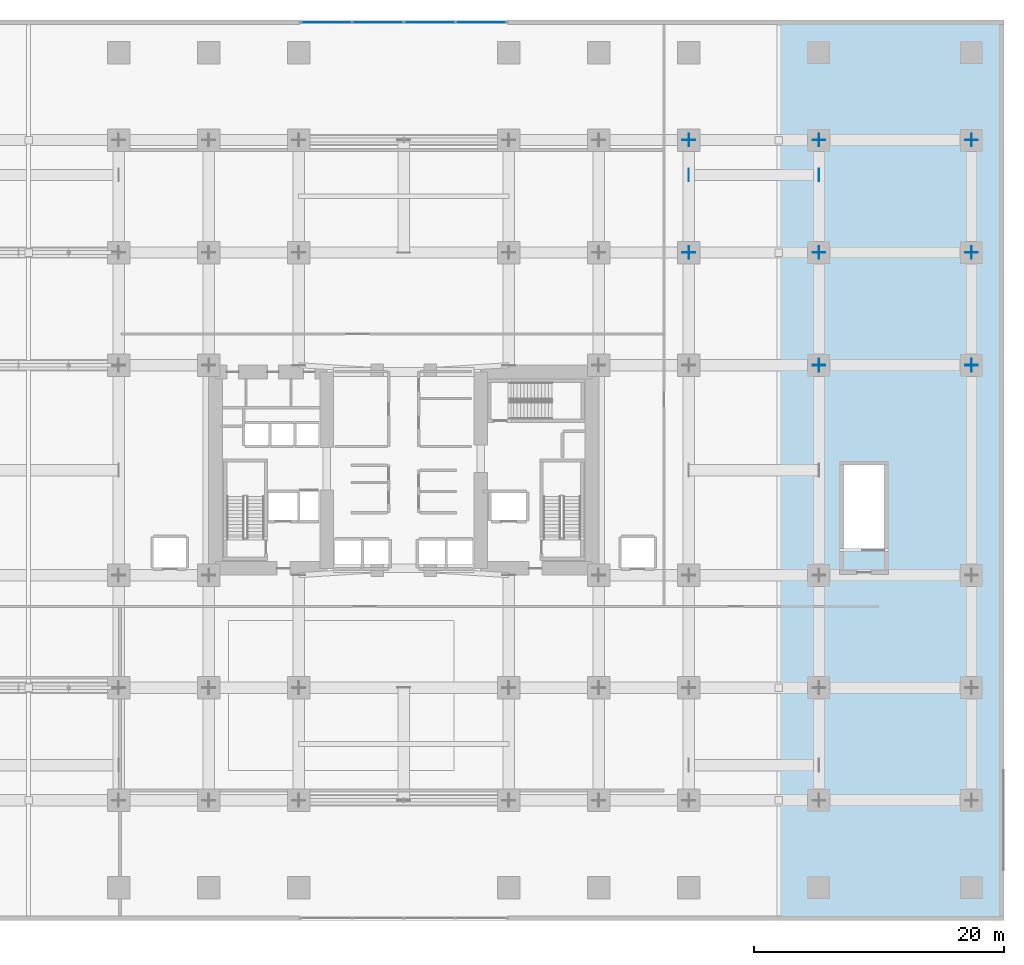
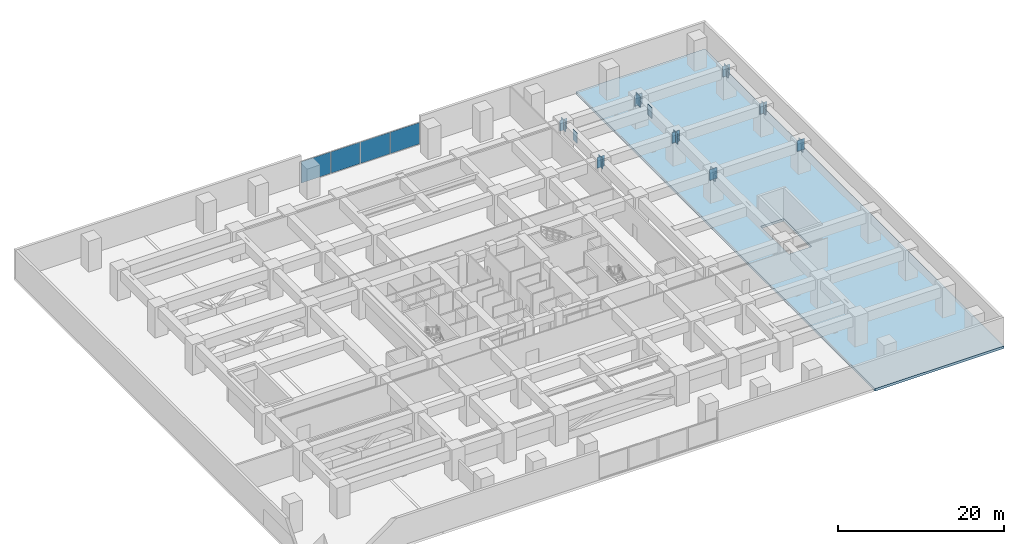
# One storey, part 12 of 25: 32 plates, 1 slab, 1 element without a shape of its own.
"""IFC4 building model written with IfcOpenShell, lengths in metres."""

from ifc_helpers import new_model, si_unit, direction, frame, origin, origin_2d, place, context, subcontext, project, spatial, polyline, rectangle, outline, extrude, material, layer, layer_set, type_object, element, aggregate, save


model = new_model("IFC4")

# Units and contexts
model_context = context("Model", 3, precision=1e-05, world=origin(), true_north=direction((0.0, 1.0)))
body_context = subcontext(model_context, "Body", "Model", "MODEL_VIEW")
ifc_project = project(units=[si_unit("LENGTHUNIT", "METRE"), si_unit("AREAUNIT", "SQUARE_METRE"), si_unit("VOLUMEUNIT", "CUBIC_METRE"), si_unit("PLANEANGLEUNIT", "RADIAN"), si_unit("MASSUNIT", "GRAM", prefix="KILO")], contexts=[model_context])

# Site, building, storey
site_placement = place(None, origin())
site = spatial("IfcSite", under=ifc_project, at=site_placement, CompositionType="ELEMENT")
building_placement = place(site_placement, origin())
building = spatial("IfcBuilding", under=site, at=building_placement, Name="Kiyonajd Concourse Tower", CompositionType="ELEMENT")
storey_placement = place(building_placement, frame((0.0, 0.0, 17.10009765625)))
storey = spatial("IfcBuildingStorey", under=building, at=storey_placement, Name="L05", CompositionType="ELEMENT", Elevation=17.10009765625)

# Plates
ifc_material_1 = material(Name="Steel ASTM A572 Grade 50", Category="steel")
ifc_layer_1 = layer(ifc_material_1, 0.031982421875)
ifc_layer_set_1 = layer_set([ifc_layer_1], Name="Steel ASTM A572 Grade 50")
plate_type_1 = type_object("IfcPlateType", Name="PL-CAP-540", PredefinedType="USERDEFINED", material=ifc_layer_set_1)
for number, where, z_axis, x_axis, name in (
    (1, (70.7890625, 59.60009765625, 2.7197265625), (0.0, 0.0, 1.0), (-1.0, 0.0, 0.0), "L05 Transfer Box Cap Plate"),
    (2, (81.2109375, 59.60009765625, 2.7197265625), (0.0, 0.0, 1.0), (1.0, 0.0, 0.0), "L05 Transfer Box Cap Plate"),
    (3, (81.2109375, 44.39990234375, 2.7197265625), (0.0, 0.0, 1.0), (1.0, 0.0, 0.0), "L05 Welded Box Girder End Cap"),
    (4, (81.18896484375, 44.39990234375, 2.73974609375), (0.0, 0.0, 1.0), (-1.0, 0.0, 0.0), "L05 Welded Box Girder End Cap"),
    (5, (93.410888671875, 44.39990234375, 2.73974609375), (0.0, 0.0, 1.0), (1.0, 0.0, 0.0), "L05 Welded Box Girder End Cap"),
    (6, (70.81103515625, 53.39990234375, 2.7197265625), (0.0, 0.0, 1.0), (1.0, 0.0, 0.0), "L05 Welded Box Girder End Cap"),
    (7, (70.7890625, 53.39990234375, 2.7197265625), (0.0, 0.0, 1.0), (-1.0, 0.0, 0.0), "L05 Welded Box Girder End Cap"),
    (8, (81.2109375, 53.39990234375, 2.7197265625), (0.0, 0.0, 1.0), (1.0, 0.0, 0.0), "L05 Welded Box Girder End Cap"),
    (9, (81.18896484375, 53.39990234375, 2.73974609375), (0.0, 0.0, 1.0), (-1.0, 0.0, 0.0), "L05 Welded Box Girder End Cap"),
    (10, (93.410888671875, 53.39990234375, 2.73974609375), (0.0, 0.0, 1.0), (1.0, 0.0, 0.0), "L05 Welded Box Girder End Cap"),
    (11, (70.81103515625, 62.39990234375, 2.7197265625), (0.0, 0.0, 1.0), (1.0, 0.0, 0.0), "L05 Welded Box Girder End Cap"),
    (12, (70.7890625, 62.39990234375, 2.7197265625), (0.0, 0.0, 1.0), (-1.0, 0.0, 0.0), "L05 Welded Box Girder End Cap"),
    (13, (81.2109375, 62.39990234375, 2.7197265625), (0.0, 0.0, 1.0), (1.0, 0.0, 0.0), "L05 Welded Box Girder End Cap"),
    (14, (81.18896484375, 62.39990234375, 2.73974609375), (0.0, 0.0, 1.0), (-1.0, 0.0, 0.0), "L05 Welded Box Girder End Cap"),
    (15, (93.410888671875, 62.39990234375, 2.73974609375), (0.0, 0.0, 1.0), (1.0, 0.0, 0.0), "L05 Welded Box Girder End Cap"),
    (16, (70.800048828125, 53.410888671875, 2.7197265625), (0.0, 0.0, 1.0), (0.0, 1.0, 0.0), "L05 Welded Box Girder End Cap"),
    (17, (70.800048828125, 53.388916015625, 2.7197265625), (0.0, 0.0, 1.0), (0.0, -1.0, 0.0), "L05 Welded Box Girder End Cap"),
    (18, (70.800048828125, 62.410888671875, 2.7197265625), (0.0, 0.0, 1.0), (0.0, 1.0, 0.0), "L05 Welded Box Girder End Cap"),
    (19, (81.199951171875, 44.410888671875, 2.73974609375), (0.0, 0.0, 1.0), (0.0, 1.0, 0.0), "L05 Welded Box Girder End Cap"),
    (20, (81.199951171875, 44.388916015625, 2.73974609375), (0.0, 0.0, 1.0), (0.0, -1.0, 0.0), "L05 Welded Box Girder End Cap"),
    (21, (81.199951171875, 53.410888671875, 2.73974609375), (0.0, 0.0, 1.0), (0.0, 1.0, 0.0), "L05 Welded Box Girder End Cap"),
    (22, (81.199951171875, 53.388916015625, 2.73974609375), (0.0, 0.0, 1.0), (0.0, -1.0, 0.0), "L05 Welded Box Girder End Cap"),
    (23, (81.199951171875, 62.410888671875, 2.73974609375), (0.0, 0.0, 1.0), (0.0, 1.0, 0.0), "L05 Welded Box Girder End Cap"),
    (24, (93.39990234375, 44.410888671875, 2.73974609375), (0.0, 0.0, 1.0), (0.0, 1.0, 0.0), "L05 Welded Box Girder End Cap"),
    (25, (93.39990234375, 44.388916015625, 2.73974609375), (0.0, 0.0, 1.0), (0.0, -1.0, 0.0), "L05 Welded Box Girder End Cap"),
    (26, (93.39990234375, 53.410888671875, 2.73974609375), (0.0, 0.0, 1.0), (0.0, 1.0, 0.0), "L05 Welded Box Girder End Cap"),
    (27, (93.39990234375, 53.388916015625, 2.73974609375), (0.0, 0.0, 1.0), (0.0, -1.0, 0.0), "L05 Welded Box Girder End Cap"),
    (28, (93.39990234375, 62.410888671875, 2.73974609375), (0.0, 0.0, 1.0), (0.0, 1.0, 0.0), "L05 Welded Box Girder End Cap"),
):
    element("IfcPlate", number, at=place(storey_placement, frame(where, z_axis=z_axis, x_axis=x_axis)), inside=storey, type_object=plate_type_1, Name=name, ObjectType="CAP PLATE", PredefinedType="USERDEFINED", context=body_context, shape_type="SweptSolid", body=[
        extrude(rectangle(XDim=0.035888671875, YDim=1.02001953125, at=origin_2d()), origin(), (0.0, 0.0, 1.0), 1.590087890625),
    ])

# Curtain wall, plates
ifc_material_2 = material(Name="Thermally Broken Anodised Aluminium", Category="aluminium")
ifc_layer_2 = layer(ifc_material_2, 0.179931640625)
ifc_layer_set_2 = layer_set([ifc_layer_2], Name="Thermally Broken Anodised Aluminium")
curtain_wall_type = type_object("IfcCurtainWallType", Name="CW-SYS-01", PredefinedType="NOTDEFINED", material=ifc_layer_set_2)
curtain_wall_placement = place(storey_placement, origin())
curtain_wall = element("IfcCurtainWall", 29, at=curtain_wall_placement, inside=storey, type_object=curtain_wall_type, Name="L05 Unitised Curtain Wall CW1", PredefinedType="NOTDEFINED")
ifc_material_3 = material(Name="Double Low-E Insulated Glass", Category="glass")
ifc_layer_3 = layer(ifc_material_3, 0.0400390625)
ifc_layer_set_3 = layer_set([ifc_layer_3], Name="Double Low-E Insulated Glass")
plate_type_2 = type_object("IfcPlateType", Name="PL-CW-VIS40", PredefinedType="CURTAIN_PANEL", material=ifc_layer_set_3)
plate_1_placement = place(storey_placement, frame((41.808837890625, 71.820068359375, 0.0751953125), z_axis=(0.0, 0.0, 1.0), x_axis=(1.0, 0.0, 0.0)))
plate_1 = element("IfcPlate", 30, at=plate_1_placement, type_object=plate_type_2, Name="CW1 panel 1.1", PredefinedType="CURTAIN_PANEL", context=body_context, shape_type="SweptSolid", body=[
    extrude(rectangle(XDim=4.027587890625, YDim=0.0400390625, at=origin_2d()), origin(), (0.0, 0.0, 1.0), 3.139892578125),
])
plate_2_placement = place(storey_placement, frame((45.929931640625, 71.820068359375, 0.0751953125), z_axis=(0.0, 0.0, 1.0), x_axis=(1.0, 0.0, 0.0)))
plate_2 = element("IfcPlate", 31, at=plate_2_placement, type_object=plate_type_2, Name="CW1 panel 2.1", PredefinedType="CURTAIN_PANEL", context=body_context, shape_type="SweptSolid", body=[
    extrude(rectangle(XDim=4.06494140625, YDim=0.0400390625, at=origin_2d()), origin(), (0.0, 0.0, 1.0), 3.139892578125),
])
plate_3_placement = place(storey_placement, frame((50.070068359375, 71.820068359375, 0.0751953125), z_axis=(0.0, 0.0, 1.0), x_axis=(1.0, 0.0, 0.0)))
plate_3 = element("IfcPlate", 32, at=plate_3_placement, type_object=plate_type_2, Name="CW1 panel 3.1", PredefinedType="CURTAIN_PANEL", context=body_context, shape_type="SweptSolid", body=[
    extrude(rectangle(XDim=4.06494140625, YDim=0.0400390625, at=origin_2d()), origin(), (0.0, 0.0, 1.0), 3.139892578125),
])
plate_4_placement = place(storey_placement, frame((54.191162109375, 71.820068359375, 0.0751953125), z_axis=(0.0, 0.0, 1.0), x_axis=(1.0, 0.0, 0.0)))
plate_4 = element("IfcPlate", 33, at=plate_4_placement, type_object=plate_type_2, Name="CW1 panel 4.1", PredefinedType="CURTAIN_PANEL", context=body_context, shape_type="SweptSolid", body=[
    extrude(rectangle(XDim=4.027587890625, YDim=0.0400390625, at=origin_2d()), origin(), (0.0, 0.0, 1.0), 3.139892578125),
])
aggregate(curtain_wall, [plate_1, plate_2, plate_3, plate_4])

# Slab
ifc_material_4 = material(Name="Concrete C50/60", Category="concrete")
ifc_layer_4 = layer(ifc_material_4, 0.360107421875)
ifc_layer_set_4 = layer_set([ifc_layer_4], Name="Concrete C50/60")
slab_type = type_object("IfcSlabType", Name="SL-XFER-360", PredefinedType="FLOOR", material=ifc_layer_set_4)
slab_placement = place(storey_placement, frame((0.0, 0.0, -0.360107421875)))
element("IfcSlab", 34, at=slab_placement, inside=storey, type_object=slab_type, Name="L05 East Wing Podium Structural Floor Slab", PredefinedType="FLOOR", context=body_context, shape_type="SweptSolid", body=[
    extrude(outline(polyline([(78.06005859375, 0.0), (96.0, 0.0), (96.0, 72.0), (78.06005859375, 72.0), (78.06005859375, 0.0)]), holes=[polyline([(83.199951171875, 29.64990234375), (83.199951171875, 36.39990234375), (86.39990234375, 36.39990234375), (86.39990234375, 29.64990234375), (83.199951171875, 29.64990234375)])]), origin(), (0.0, 0.0, 1.0), 0.360107421875),
])

save(model, "model.ifc")
